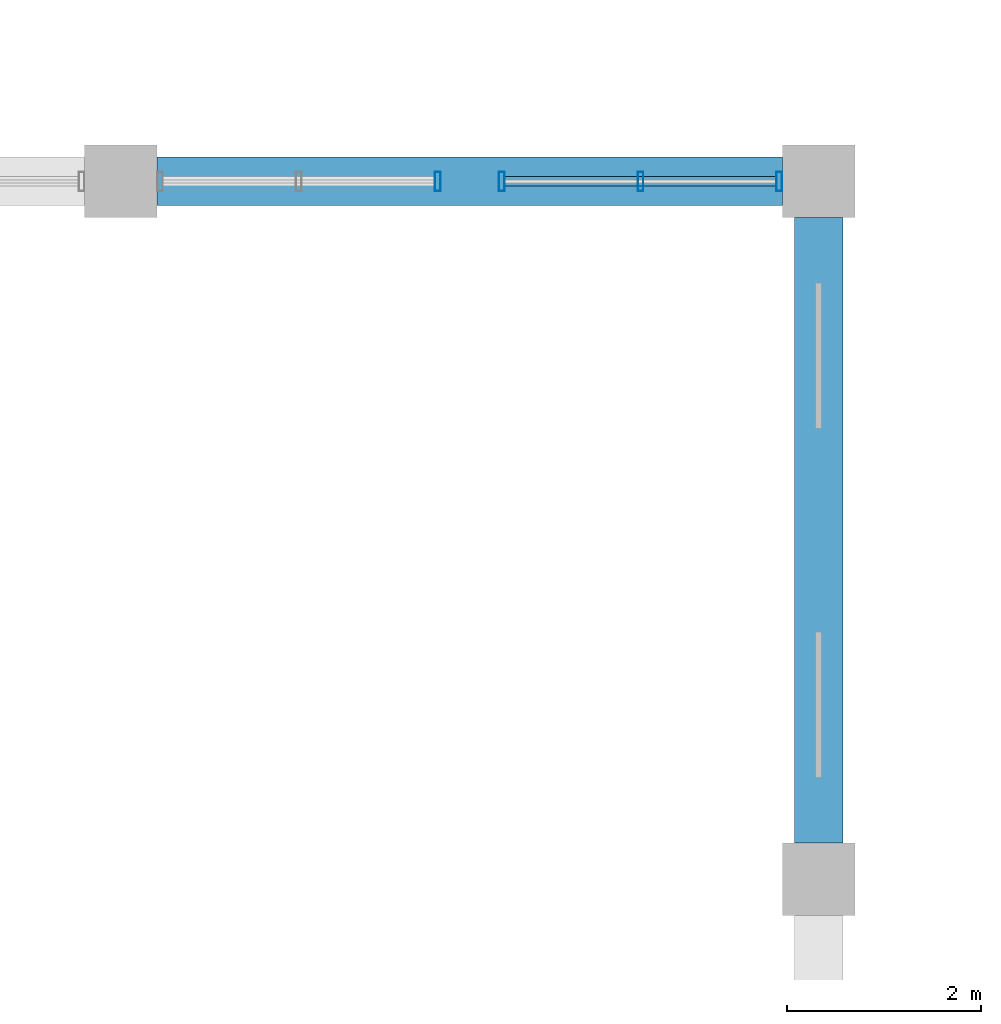
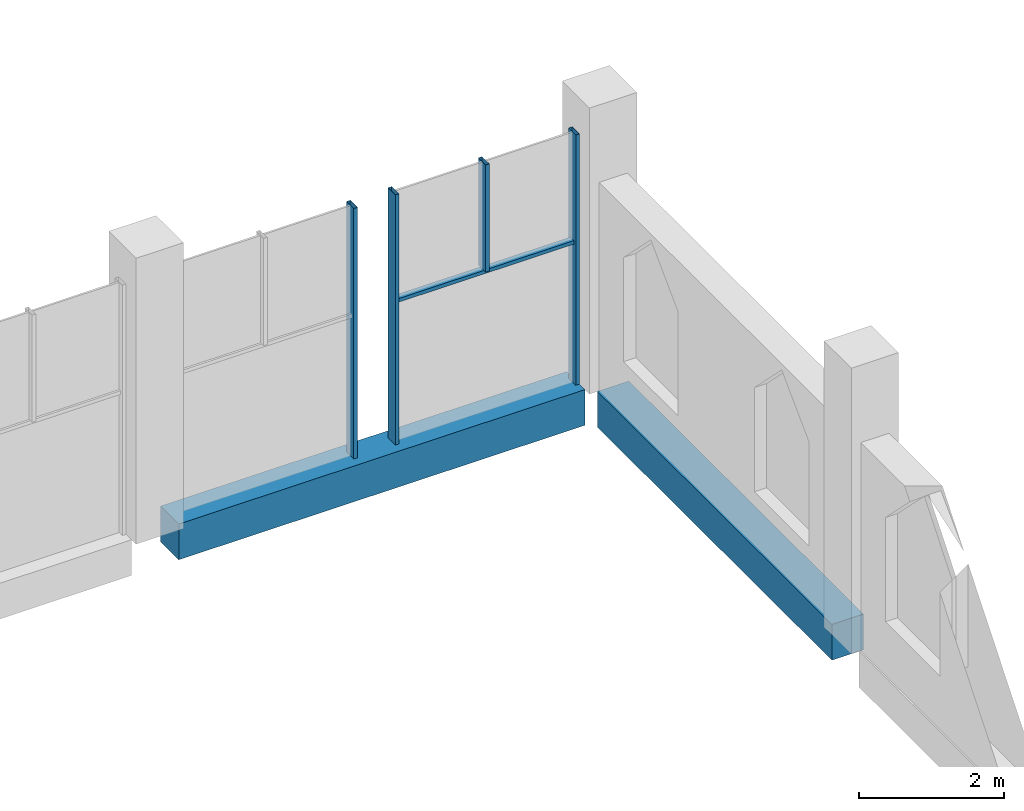
# One storey, part 14 of 39: 5 members, 2 beams, 2 elements without a shape of their own.
"""IFC4 building model written with IfcOpenShell, lengths in metres."""

from ifc_helpers import new_model, si_unit, direction, frame, origin, origin_2d, place, context, subcontext, project, spatial, rectangle, hollow_rectangle, extrude, material, material_profile, profile_set, type_object, element, aggregate, save


model = new_model("IFC4")

# Units and contexts
model_context = context("Model", 3, precision=1e-05, world=origin(), true_north=direction((0.0, 1.0)))
body_context = subcontext(model_context, "Body", "Model", "MODEL_VIEW")
ifc_project = project(units=[si_unit("LENGTHUNIT", "METRE"), si_unit("AREAUNIT", "SQUARE_METRE"), si_unit("VOLUMEUNIT", "CUBIC_METRE"), si_unit("PLANEANGLEUNIT", "RADIAN"), si_unit("MASSUNIT", "GRAM", prefix="KILO")], contexts=[model_context])

# Site, building, storey
site_placement = place(None, origin())
site = spatial("IfcSite", under=ifc_project, at=site_placement, CompositionType="ELEMENT")
building_placement = place(site_placement, origin())
building = spatial("IfcBuilding", under=site, at=building_placement, Name="Silangan Lancet Faculty of Sciences", CompositionType="ELEMENT")
storey_placement = place(building_placement, frame((0.0, 0.0, 26.39990234375)))
storey = spatial("IfcBuildingStorey", under=building, at=storey_placement, Name="L05", CompositionType="ELEMENT", Elevation=26.39990234375)

# Beams
ifc_material_1 = material(Name="Concrete C40/50", Category="concrete")
ifc_material_profile_1 = material_profile(ifc_material_1, rectangle(XDim=0.5, YDim=0.60009765625, at=origin_2d()), Name="RC 500x600")
ifc_profile_set_1 = profile_set([ifc_material_profile_1], Name="Concrete C40/50")
beam_type = type_object("IfcBeamType", Name="BEAM RC 500x600", PredefinedType="BEAM", material=ifc_profile_set_1)
for number, where, z_axis, x_axis, name in (
    (1, (43.574951171875, 36.0, -0.2998046875), (1.0, 0.0, 0.0), (0.0, 1.0, 0.0), "BM-L05-7F-8F"),
    (2, (50.39990234375, 29.175048828125, -0.2998046875), (0.0, 1.0, 0.0), (-1.0, 0.0, 0.0), "BM-L05-8E-8F"),
):
    element("IfcBeam", number, at=place(storey_placement, frame(where, z_axis=z_axis, x_axis=x_axis)), inside=storey, type_object=beam_type, Name=name, PredefinedType="BEAM", context=body_context, shape_type="SweptSolid", body=[
        extrude(rectangle(XDim=0.5, YDim=0.60009765625, at=origin_2d()), origin(), (0.0, 0.0, 1.0), 6.449951171875),
    ])

# Curtain wall, members
ifc_material_2 = material(Name="Aluminium framed curtain wall with insulated glass", Category="aluminium")
curtain_wall_type = type_object("IfcCurtainWallType", Name="CW5 Nave north light glazing", PredefinedType="NOTDEFINED", material=ifc_material_2)
curtain_wall_1_placement = place(storey_placement, origin())
curtain_wall_1 = element("IfcCurtainWall", 3, at=curtain_wall_1_placement, inside=storey, type_object=curtain_wall_type, Name="CW5 Nave north lights L05 bay 1", PredefinedType="NOTDEFINED")
ifc_material_3 = material(Name="Aluminium 6063-T6 extrusion", Category="aluminium")
ifc_material_profile_2 = material_profile(ifc_material_3, hollow_rectangle(XDim=0.06005859375, YDim=0.199951171875, WallThickness=0.00390625, at=origin_2d()), Name="AL BOX 60x200x4")
ifc_profile_set_2 = profile_set([ifc_material_profile_2], Name="Aluminium 6063-T6 extrusion")
member_type_1 = type_object("IfcMemberType", Name="CM1 Mullion 60x200", PredefinedType="MULLION", material=ifc_profile_set_2)
member_1_placement = place(storey_placement, frame((49.9951171875, 36.0, 0.0), z_axis=(0.0, 0.0, 1.0), x_axis=(-1.0, 0.0, 0.0)))
member_1 = element("IfcMember", 4, at=member_1_placement, type_object=member_type_1, Name="CW5 Nave north lights L05 bay 1 mullion 1", PredefinedType="MULLION", context=body_context, shape_type="SweptSolid", body=[
    extrude(hollow_rectangle(XDim=0.06005859375, YDim=0.199951171875, WallThickness=0.00390625, at=origin_2d()), origin(), (0.0, 0.0, 1.0), 4.2001953125),
])
member_2_placement = place(storey_placement, frame((47.1298828125, 36.0, 0.0), z_axis=(0.0, 0.0, 1.0), x_axis=(-1.0, 0.0, 0.0)))
member_2 = element("IfcMember", 5, at=member_2_placement, type_object=member_type_1, Name="CW5 Nave north lights L05 bay 1 mullion 2", PredefinedType="MULLION", context=body_context, shape_type="SweptSolid", body=[
    extrude(hollow_rectangle(XDim=0.06005859375, YDim=0.199951171875, WallThickness=0.00390625, at=origin_2d()), origin(), (0.0, 0.0, 1.0), 4.2001953125),
])
member_3_placement = place(storey_placement, frame((48.5625, 36.0, 2.400146484375), z_axis=(0.0, 0.0, 1.0), x_axis=(-1.0, 0.0, 0.0)))
member_3 = element("IfcMember", 6, at=member_3_placement, type_object=member_type_1, Name="CW5 Nave north lights L05 bay 1 mullion 3", PredefinedType="MULLION", context=body_context, shape_type="SweptSolid", body=[
    extrude(hollow_rectangle(XDim=0.06005859375, YDim=0.199951171875, WallThickness=0.00390625, at=origin_2d()), origin(), (0.0, 0.0, 1.0), 1.800048828125),
])

# Curtain wall, member
curtain_wall_2_placement = place(storey_placement, origin())
curtain_wall_2 = element("IfcCurtainWall", 7, at=curtain_wall_2_placement, inside=storey, type_object=curtain_wall_type, Name="CW5 Nave north lights L05 bay 2", PredefinedType="NOTDEFINED")
member_4_placement = place(storey_placement, frame((46.469970703125, 36.0, 0.0), z_axis=(0.0, 0.0, 1.0), x_axis=(-1.0, 0.0, 0.0)))
member_4 = element("IfcMember", 8, at=member_4_placement, type_object=member_type_1, Name="CW5 Nave north lights L05 bay 2 mullion 1", PredefinedType="MULLION", context=body_context, shape_type="SweptSolid", body=[
    extrude(hollow_rectangle(XDim=0.06005859375, YDim=0.199951171875, WallThickness=0.00390625, at=origin_2d()), origin(), (0.0, 0.0, 1.0), 4.2001953125),
])
aggregate(curtain_wall_2, [member_4])

# Member
ifc_material_4 = material(Name="Aluminium 6063-T6 extrusion", Category="aluminium")
ifc_material_profile_3 = material_profile(ifc_material_4, hollow_rectangle(XDim=0.10009765625, YDim=0.06005859375, WallThickness=0.0029296875, at=origin_2d()), Name="AL BOX 100x60x3")
ifc_profile_set_3 = profile_set([ifc_material_profile_3], Name="Aluminium 6063-T6 extrusion")
member_type_2 = type_object("IfcMemberType", Name="CT1 Transom 100x60", PredefinedType="USERDEFINED", material=ifc_profile_set_3)
member_5_placement = place(storey_placement, frame((49.965087890625, 36.0, 2.3701171875), z_axis=(-1.0, 0.0, 0.0), x_axis=(0.0, -1.0, 0.0)))
member_5 = element("IfcMember", 9, at=member_5_placement, type_object=member_type_2, Name="CW5 Nave north lights L05 bay 1 transom 1", ObjectType="TRANSOM", PredefinedType="USERDEFINED", context=body_context, shape_type="SweptSolid", body=[
    extrude(hollow_rectangle(XDim=0.10009765625, YDim=0.06005859375, WallThickness=0.0029296875, at=origin_2d()), origin(), (0.0, 0.0, 1.0), 2.80517578125),
])

aggregate(curtain_wall_1, [member_1, member_2, member_3, member_5])

save(model, "model.ifc")
